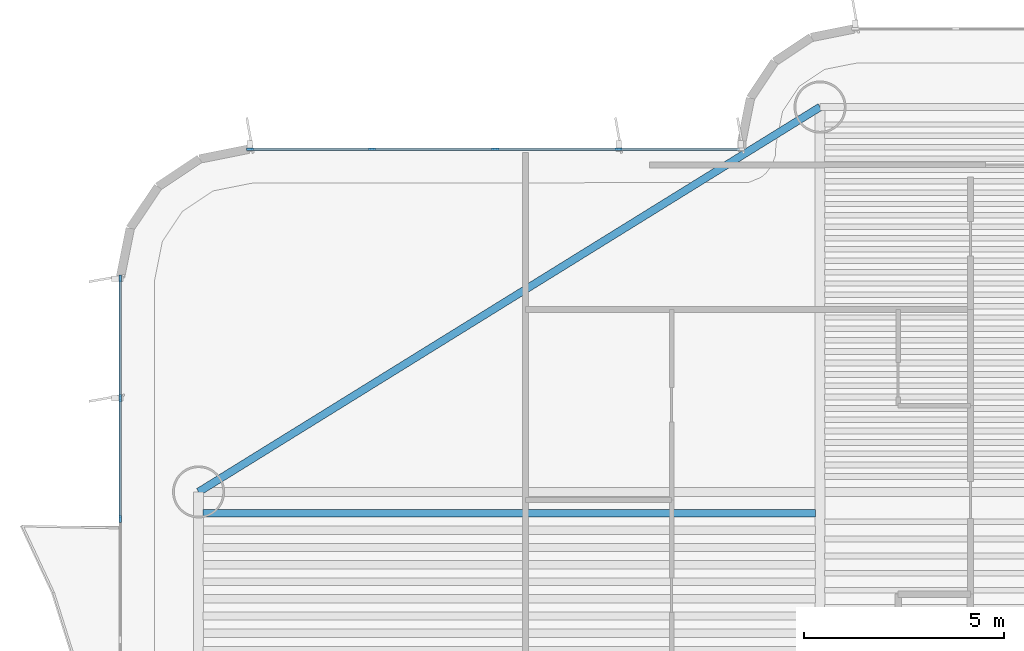
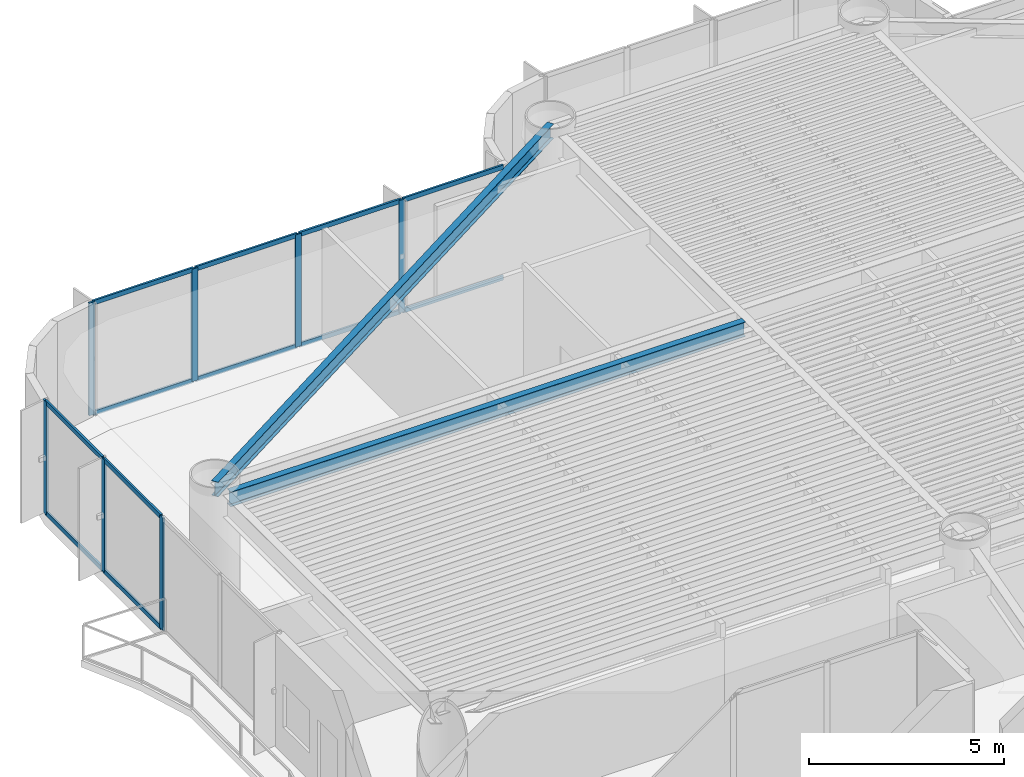
# One storey, part 5 of 17: 19 members, 2 beams, 2 elements without a shape of their own.
"""IFC4 building model written with IfcOpenShell, lengths in metres."""

from ifc_helpers import new_model, si_unit, direction, frame, origin, origin_2d, place, context, subcontext, project, spatial, rectangle, i_section, extrude, source, transform, mapped, material, layer, layer_set, material_profile, profile_set, type_object, element, aggregate, save


model = new_model("IFC4")

# Units and contexts
model_context = context("Model", 3, precision=1e-05, world=origin(), true_north=direction((0.0, 1.0)))
body_context = subcontext(model_context, "Body", "Model", "MODEL_VIEW")
ifc_project = project(units=[si_unit("LENGTHUNIT", "METRE"), si_unit("AREAUNIT", "SQUARE_METRE"), si_unit("VOLUMEUNIT", "CUBIC_METRE"), si_unit("PLANEANGLEUNIT", "RADIAN"), si_unit("MASSUNIT", "GRAM", prefix="KILO")], contexts=[model_context])

# Site, building, storey
site_placement = place(None, origin())
site = spatial("IfcSite", under=ifc_project, at=site_placement, CompositionType="ELEMENT")
building_placement = place(site_placement, origin())
building = spatial("IfcBuilding", under=site, at=building_placement, Name="Brelvock Crest Care Tower", CompositionType="ELEMENT")
storey_placement = place(building_placement, frame((0.0, 0.0, 89.820068359375)))
storey = spatial("IfcBuildingStorey", under=building, at=storey_placement, Name="L22", CompositionType="ELEMENT", Elevation=89.820068359375)

# Beams
ifc_material_1 = material(Name="Steel Grade 350", Category="steel")
ifc_material_profile_1 = material_profile(ifc_material_1, i_section(OverallWidth=0.19091796875, OverallDepth=0.4599609375, WebThickness=0.010009765625, FlangeThickness=0.01611328125, FilletRadius=0.011474609375, at=origin_2d()), Name="460UB82.1")
ifc_profile_set_1 = profile_set([ifc_material_profile_1], Name="Steel Grade 350")
beam_type_1 = type_object("IfcBeamType", Name="BM-G3", PredefinedType="BEAM", material=ifc_profile_set_1)
shared_shape_1 = source(origin(), body_context, "Body", "SweptSolid", [
    extrude(i_section(OverallWidth=0.19091796875, OverallDepth=0.4599609375, WebThickness=0.010009765625, FlangeThickness=0.01611328125, FilletRadius=0.011474609375, at=origin_2d()), origin(), (0.0, 0.0, 1.0), 15.27001953125),
])
beam_1_placement = place(storey_placement, frame((15.965087890625, 38.317626953125, 3.300048828125), z_axis=(1.0, 0.0, 0.0), x_axis=(0.0, 1.0, 0.0)))
element("IfcBeam", 1, at=beam_1_placement, inside=storey, type_object=beam_type_1, Name="BM-JW-L22-26", PredefinedType="BEAM", context=body_context, shape_type="MappedRepresentation", body=[
    mapped(shared_shape_1, transform((0.0, 0.0, 0.0), x_axis=(1.0, 0.0, 0.0), y_axis=(0.0, 1.0, 0.0), z_axis=(0.0, 0.0, 1.0), scale=1.0)),
])
ifc_material_profile_2 = material_profile(ifc_material_1, i_section(OverallWidth=0.19091796875, OverallDepth=0.4599609375, WebThickness=0.010009765625, FlangeThickness=0.01611328125, FilletRadius=0.011474609375, at=origin_2d()), Name="460UB82.1")
ifc_profile_set_2 = profile_set([ifc_material_profile_2], Name="Steel Grade 350")
beam_type_2 = type_object("IfcBeamType", Name="BM-SP2", PredefinedType="SPANDREL", material=ifc_profile_set_2)
shared_shape_2 = source(origin(), body_context, "Body", "SweptSolid", [
    extrude(i_section(OverallWidth=0.19091796875, OverallDepth=0.4599609375, WebThickness=0.010009765625, FlangeThickness=0.01611328125, FilletRadius=0.011474609375, at=origin_2d()), origin(), (0.0, 0.0, 1.0), 18.23193359375),
])
beam_2_placement = place(storey_placement, frame((15.85009765625, 38.85009765625, 3.300048828125), z_axis=(0.85015183248, 0.526537616635, 0.0), x_axis=(-0.526537616635, 0.85015183248, 0.0)))
element("IfcBeam", 2, at=beam_2_placement, inside=storey, type_object=beam_type_2, Name="BM-TWR-L22-06", PredefinedType="SPANDREL", context=body_context, shape_type="MappedRepresentation", body=[
    mapped(shared_shape_2, transform((0.0, 0.0, 0.0), x_axis=(1.0, 0.0, 0.0), y_axis=(0.0, 1.0, 0.0), z_axis=(0.0, 0.0, 1.0), scale=1.0)),
])

# Curtain wall, members
ifc_material_2 = material(Name="Dark Glass Double Glazed Low-E", Category="glass")
ifc_layer = layer(ifc_material_2, 0.2099609375, Name="CWS-3")
ifc_layer_set = layer_set([ifc_layer], Name="Dark Glass Double Glazed Low-E")
curtain_wall_type = type_object("IfcCurtainWallType", Name="CWS-3", PredefinedType="NOTDEFINED", material=ifc_layer_set)
curtain_wall_1_placement = place(storey_placement, origin())
curtain_wall_1 = element("IfcCurtainWall", 3, at=curtain_wall_1_placement, inside=storey, type_object=curtain_wall_type, Name="L22 Curtain Wall E17B", PredefinedType="NOTDEFINED")
ifc_material_3 = material(Name="Aluminium 6063-T6", Category="aluminium")
ifc_material_profile_3 = material_profile(ifc_material_3, rectangle(XDim=0.06005859375, YDim=0.179931640625, at=origin_2d()), Name="ALU60x180")
ifc_profile_set_3 = profile_set([ifc_material_profile_3], Name="Aluminium 6063-T6")
member_type_1 = type_object("IfcMemberType", Name="CWM-2", PredefinedType="MULLION", material=ifc_profile_set_3)
shared_shape_3 = source(origin(), body_context, "Body", "SweptSolid", [
    extrude(rectangle(XDim=0.06005859375, YDim=0.179931640625, at=origin_2d()), origin(), (0.0, 0.0, 1.0), 3.530029296875),
])
member_1_placement = place(storey_placement, frame((13.89990234375, 38.175048828125, 0.0), z_axis=(0.0, 0.0, 1.0), x_axis=(-1.0, 0.0, 0.0)))
member_1 = element("IfcMember", 4, at=member_1_placement, type_object=member_type_1, Name="CW-3 mullion 3", PredefinedType="MULLION", context=body_context, shape_type="MappedRepresentation", body=[
    mapped(shared_shape_3, transform((0.0, 0.0, 0.0), x_axis=(1.0, 0.0, 0.0), y_axis=(0.0, 1.0, 0.0), z_axis=(0.0, 0.0, 1.0), scale=1.0)),
])
member_2_placement = place(storey_placement, frame((13.89990234375, 41.1875, 0.0), z_axis=(0.0, 0.0, 1.0), x_axis=(-1.0, 0.0, 0.0)))
member_2 = element("IfcMember", 5, at=member_2_placement, type_object=member_type_1, Name="CW-3 mullion 4", PredefinedType="MULLION", context=body_context, shape_type="MappedRepresentation", body=[
    mapped(shared_shape_3, transform((0.0, 0.0, 0.0), x_axis=(1.0, 0.0, 0.0), y_axis=(0.0, 1.0, 0.0), z_axis=(0.0, 0.0, 1.0), scale=1.0)),
])
member_3_placement = place(storey_placement, frame((13.89990234375, 44.169921875, 0.0), z_axis=(0.0, 0.0, 1.0), x_axis=(-1.0, 0.0, 0.0)))
member_3 = element("IfcMember", 6, at=member_3_placement, type_object=member_type_1, Name="CW-3 mullion 5", PredefinedType="MULLION", context=body_context, shape_type="MappedRepresentation", body=[
    mapped(shared_shape_3, transform((0.0, 0.0, 0.0), x_axis=(1.0, 0.0, 0.0), y_axis=(0.0, 1.0, 0.0), z_axis=(0.0, 0.0, 1.0), scale=1.0)),
])

curtain_wall_2_placement = place(storey_placement, origin())
curtain_wall_2 = element("IfcCurtainWall", 7, at=curtain_wall_2_placement, inside=storey, type_object=curtain_wall_type, Name="L22 Curtain Wall E22", PredefinedType="NOTDEFINED")
member_4_placement = place(storey_placement, frame((17.1298828125, 47.39990234375, 0.0), z_axis=(0.0, 0.0, 1.0), x_axis=(0.0, 1.0, 0.0)))
member_4 = element("IfcMember", 8, at=member_4_placement, type_object=member_type_1, Name="CW-3 mullion 1", PredefinedType="MULLION", context=body_context, shape_type="MappedRepresentation", body=[
    mapped(shared_shape_3, transform((0.0, 0.0, 0.0), x_axis=(1.0, 0.0, 0.0), y_axis=(0.0, 1.0, 0.0), z_axis=(0.0, 0.0, 1.0), scale=1.0)),
])
member_5_placement = place(storey_placement, frame((20.175048828125, 47.39990234375, 0.0), z_axis=(0.0, 0.0, 1.0), x_axis=(0.0, 1.0, 0.0)))
member_5 = element("IfcMember", 9, at=member_5_placement, type_object=member_type_1, Name="CW-3 mullion 2", PredefinedType="MULLION", context=body_context, shape_type="MappedRepresentation", body=[
    mapped(shared_shape_3, transform((0.0, 0.0, 0.0), x_axis=(1.0, 0.0, 0.0), y_axis=(0.0, 1.0, 0.0), z_axis=(0.0, 0.0, 1.0), scale=1.0)),
])
member_6_placement = place(storey_placement, frame((23.25, 47.39990234375, 0.0), z_axis=(0.0, 0.0, 1.0), x_axis=(0.0, 1.0, 0.0)))
member_6 = element("IfcMember", 10, at=member_6_placement, type_object=member_type_1, Name="CW-3 mullion 3", PredefinedType="MULLION", context=body_context, shape_type="MappedRepresentation", body=[
    mapped(shared_shape_3, transform((0.0, 0.0, 0.0), x_axis=(1.0, 0.0, 0.0), y_axis=(0.0, 1.0, 0.0), z_axis=(0.0, 0.0, 1.0), scale=1.0)),
])
member_7_placement = place(storey_placement, frame((26.324951171875, 47.39990234375, 0.0), z_axis=(0.0, 0.0, 1.0), x_axis=(0.0, 1.0, 0.0)))
member_7 = element("IfcMember", 11, at=member_7_placement, type_object=member_type_1, Name="CW-3 mullion 4", PredefinedType="MULLION", context=body_context, shape_type="MappedRepresentation", body=[
    mapped(shared_shape_3, transform((0.0, 0.0, 0.0), x_axis=(1.0, 0.0, 0.0), y_axis=(0.0, 1.0, 0.0), z_axis=(0.0, 0.0, 1.0), scale=1.0)),
])

# Member
ifc_material_profile_4 = material_profile(ifc_material_3, rectangle(XDim=0.06005859375, YDim=0.139892578125, at=origin_2d()), Name="ALU60x140")
ifc_profile_set_4 = profile_set([ifc_material_profile_4], Name="Aluminium 6063-T6")
member_type_2 = type_object("IfcMemberType", Name="CWT-2", PredefinedType="USERDEFINED", material=ifc_profile_set_4)
shared_shape_4 = source(origin(), body_context, "Body", "SweptSolid", [
    extrude(rectangle(XDim=0.06005859375, YDim=0.139892578125, at=origin_2d()), origin(), (0.0, 0.0, 1.0), 2.952392578125),
])
member_8_placement = place(storey_placement, frame((13.89990234375, 38.205078125, 0.030029296875), z_axis=(0.0, 1.0, 0.0), x_axis=(-1.0, 0.0, 0.0)))
member_8 = element("IfcMember", 12, at=member_8_placement, type_object=member_type_2, Name="CW-3 transom 3.1", ObjectType="TRANSOM", PredefinedType="USERDEFINED", context=body_context, shape_type="MappedRepresentation", body=[
    mapped(shared_shape_4, transform((0.0, 0.0, 0.0), x_axis=(1.0, 0.0, 0.0), y_axis=(0.0, 1.0, 0.0), z_axis=(0.0, 0.0, 1.0), scale=1.0)),
])

member_9_placement = place(storey_placement, frame((13.89990234375, 38.205078125, 3.5), z_axis=(0.0, 1.0, 0.0), x_axis=(-1.0, 0.0, 0.0)))
member_9 = element("IfcMember", 13, at=member_9_placement, type_object=member_type_2, Name="CW-3 transom 3.2", ObjectType="TRANSOM", PredefinedType="USERDEFINED", context=body_context, shape_type="MappedRepresentation", body=[
    mapped(shared_shape_4, transform((0.0, 0.0, 0.0), x_axis=(1.0, 0.0, 0.0), y_axis=(0.0, 1.0, 0.0), z_axis=(0.0, 0.0, 1.0), scale=1.0)),
])

shared_shape_5 = source(origin(), body_context, "Body", "SweptSolid", [
    extrude(rectangle(XDim=0.06005859375, YDim=0.139892578125, at=origin_2d()), origin(), (0.0, 0.0, 1.0), 2.92236328125),
])
member_10_placement = place(storey_placement, frame((13.89990234375, 41.217529296875, 0.030029296875), z_axis=(0.0, 1.0, 0.0), x_axis=(-1.0, 0.0, 0.0)))
member_10 = element("IfcMember", 14, at=member_10_placement, type_object=member_type_2, Name="CW-3 transom 4.1", ObjectType="TRANSOM", PredefinedType="USERDEFINED", context=body_context, shape_type="MappedRepresentation", body=[
    mapped(shared_shape_5, transform((0.0, 0.0, 0.0), x_axis=(1.0, 0.0, 0.0), y_axis=(0.0, 1.0, 0.0), z_axis=(0.0, 0.0, 1.0), scale=1.0)),
])

member_11_placement = place(storey_placement, frame((13.89990234375, 41.217529296875, 3.5), z_axis=(0.0, 1.0, 0.0), x_axis=(-1.0, 0.0, 0.0)))
member_11 = element("IfcMember", 15, at=member_11_placement, type_object=member_type_2, Name="CW-3 transom 4.2", ObjectType="TRANSOM", PredefinedType="USERDEFINED", context=body_context, shape_type="MappedRepresentation", body=[
    mapped(shared_shape_5, transform((0.0, 0.0, 0.0), x_axis=(1.0, 0.0, 0.0), y_axis=(0.0, 1.0, 0.0), z_axis=(0.0, 0.0, 1.0), scale=1.0)),
])

aggregate(curtain_wall_1, [member_1, member_2, member_3, member_8, member_9, member_10, member_11])

shared_shape_6 = source(origin(), body_context, "Body", "SweptSolid", [
    extrude(rectangle(XDim=0.06005859375, YDim=0.139892578125, at=origin_2d()), origin(), (0.0, 0.0, 1.0), 2.985107421875),
])
member_12_placement = place(storey_placement, frame((17.159912109375, 47.39990234375, 0.030029296875), z_axis=(1.0, 0.0, 0.0), x_axis=(0.0, 1.0, 0.0)))
member_12 = element("IfcMember", 16, at=member_12_placement, type_object=member_type_2, Name="CW-3 transom 1.1", ObjectType="TRANSOM", PredefinedType="USERDEFINED", context=body_context, shape_type="MappedRepresentation", body=[
    mapped(shared_shape_6, transform((0.0, 0.0, 0.0), x_axis=(1.0, 0.0, 0.0), y_axis=(0.0, 1.0, 0.0), z_axis=(0.0, 0.0, 1.0), scale=1.0)),
])

member_13_placement = place(storey_placement, frame((17.159912109375, 47.39990234375, 3.5), z_axis=(1.0, 0.0, 0.0), x_axis=(0.0, 1.0, 0.0)))
member_13 = element("IfcMember", 17, at=member_13_placement, type_object=member_type_2, Name="CW-3 transom 1.2", ObjectType="TRANSOM", PredefinedType="USERDEFINED", context=body_context, shape_type="MappedRepresentation", body=[
    mapped(shared_shape_6, transform((0.0, 0.0, 0.0), x_axis=(1.0, 0.0, 0.0), y_axis=(0.0, 1.0, 0.0), z_axis=(0.0, 0.0, 1.0), scale=1.0)),
])

member_14_placement = place(storey_placement, frame((26.35498046875, 47.39990234375, 0.030029296875), z_axis=(1.0, 0.0, 0.0), x_axis=(0.0, 1.0, 0.0)))
member_14 = element("IfcMember", 18, at=member_14_placement, type_object=member_type_2, Name="CW-3 transom 4.1", ObjectType="TRANSOM", PredefinedType="USERDEFINED", context=body_context, shape_type="MappedRepresentation", body=[
    mapped(shared_shape_6, transform((0.0, 0.0, 0.0), x_axis=(1.0, 0.0, 0.0), y_axis=(0.0, 1.0, 0.0), z_axis=(0.0, 0.0, 1.0), scale=1.0)),
])

member_15_placement = place(storey_placement, frame((26.35498046875, 47.39990234375, 3.5), z_axis=(1.0, 0.0, 0.0), x_axis=(0.0, 1.0, 0.0)))
member_15 = element("IfcMember", 19, at=member_15_placement, type_object=member_type_2, Name="CW-3 transom 4.2", ObjectType="TRANSOM", PredefinedType="USERDEFINED", context=body_context, shape_type="MappedRepresentation", body=[
    mapped(shared_shape_6, transform((0.0, 0.0, 0.0), x_axis=(1.0, 0.0, 0.0), y_axis=(0.0, 1.0, 0.0), z_axis=(0.0, 0.0, 1.0), scale=1.0)),
])

shared_shape_7 = source(origin(), body_context, "Body", "SweptSolid", [
    extrude(rectangle(XDim=0.06005859375, YDim=0.139892578125, at=origin_2d()), origin(), (0.0, 0.0, 1.0), 3.014892578125),
])
member_16_placement = place(storey_placement, frame((20.205078125, 47.39990234375, 0.030029296875), z_axis=(1.0, 0.0, 0.0), x_axis=(0.0, 1.0, 0.0)))
member_16 = element("IfcMember", 20, at=member_16_placement, type_object=member_type_2, Name="CW-3 transom 2.1", ObjectType="TRANSOM", PredefinedType="USERDEFINED", context=body_context, shape_type="MappedRepresentation", body=[
    mapped(shared_shape_7, transform((0.0, 0.0, 0.0), x_axis=(1.0, 0.0, 0.0), y_axis=(0.0, 1.0, 0.0), z_axis=(0.0, 0.0, 1.0), scale=1.0)),
])

member_17_placement = place(storey_placement, frame((20.205078125, 47.39990234375, 3.5), z_axis=(1.0, 0.0, 0.0), x_axis=(0.0, 1.0, 0.0)))
member_17 = element("IfcMember", 21, at=member_17_placement, type_object=member_type_2, Name="CW-3 transom 2.2", ObjectType="TRANSOM", PredefinedType="USERDEFINED", context=body_context, shape_type="MappedRepresentation", body=[
    mapped(shared_shape_7, transform((0.0, 0.0, 0.0), x_axis=(1.0, 0.0, 0.0), y_axis=(0.0, 1.0, 0.0), z_axis=(0.0, 0.0, 1.0), scale=1.0)),
])

member_18_placement = place(storey_placement, frame((23.280029296875, 47.39990234375, 0.030029296875), z_axis=(1.0, 0.0, 0.0), x_axis=(0.0, 1.0, 0.0)))
member_18 = element("IfcMember", 22, at=member_18_placement, type_object=member_type_2, Name="CW-3 transom 3.1", ObjectType="TRANSOM", PredefinedType="USERDEFINED", context=body_context, shape_type="MappedRepresentation", body=[
    mapped(shared_shape_7, transform((0.0, 0.0, 0.0), x_axis=(1.0, 0.0, 0.0), y_axis=(0.0, 1.0, 0.0), z_axis=(0.0, 0.0, 1.0), scale=1.0)),
])

member_19_placement = place(storey_placement, frame((23.280029296875, 47.39990234375, 3.5), z_axis=(1.0, 0.0, 0.0), x_axis=(0.0, 1.0, 0.0)))
member_19 = element("IfcMember", 23, at=member_19_placement, type_object=member_type_2, Name="CW-3 transom 3.2", ObjectType="TRANSOM", PredefinedType="USERDEFINED", context=body_context, shape_type="MappedRepresentation", body=[
    mapped(shared_shape_7, transform((0.0, 0.0, 0.0), x_axis=(1.0, 0.0, 0.0), y_axis=(0.0, 1.0, 0.0), z_axis=(0.0, 0.0, 1.0), scale=1.0)),
])

aggregate(curtain_wall_2, [member_4, member_5, member_6, member_7, member_12, member_13, member_16, member_17, member_18, member_19, member_14, member_15])

save(model, "model.ifc")
